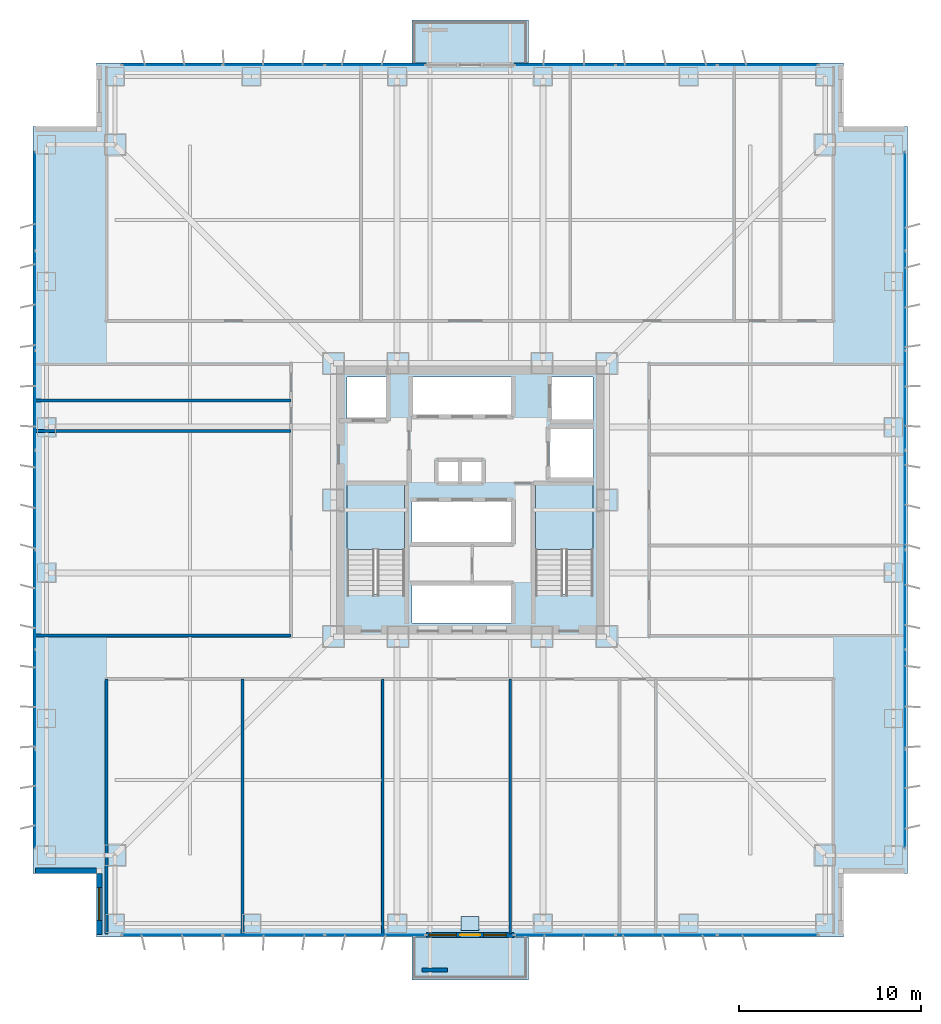
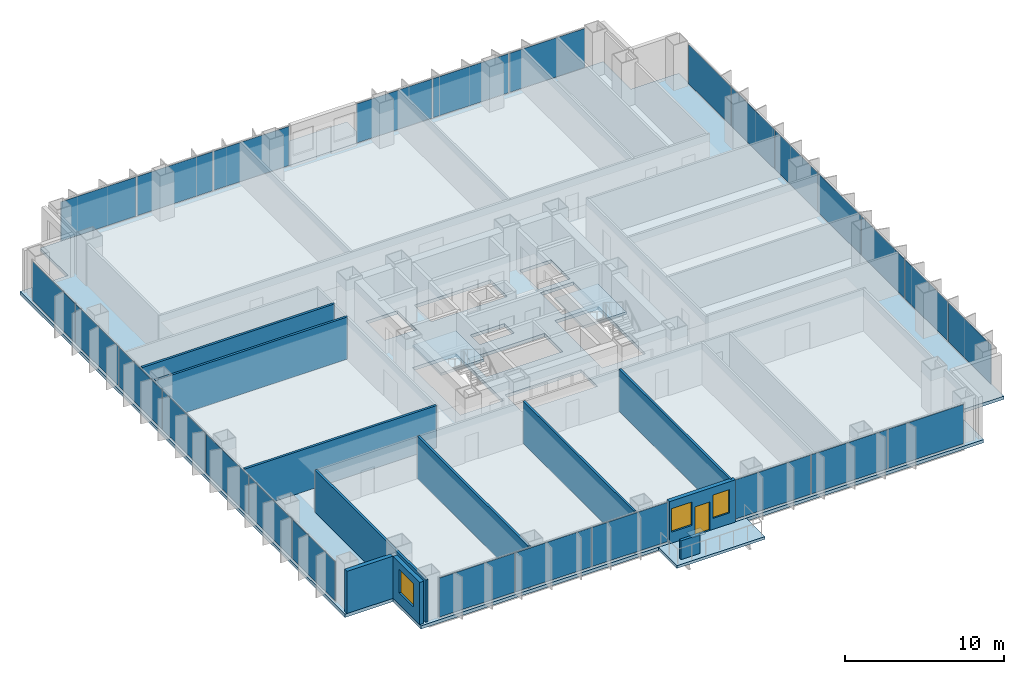
# One storey, part 13 of 21: 27 plates, 11 walls, 5 slabs, 3 windows, 1 door, 4 openings, 8 elements without a shape of their own.
"""IFC4 building model written with IfcOpenShell, lengths in metres."""

from ifc_helpers import new_model, si_unit, direction, frame, frame_2d, origin, origin_2d, place, context, subcontext, project, spatial, polyline, rectangle, outline, extrude, material, layer, layer_set, type_object, element, fill, aggregate, save


model = new_model("IFC4")

# Units and contexts
model_context = context("Model", 3, precision=1e-05, world=origin(), true_north=direction((0.0, 1.0)))
body_context = subcontext(model_context, "Body", "Model", "MODEL_VIEW")
ifc_project = project(units=[si_unit("LENGTHUNIT", "METRE"), si_unit("AREAUNIT", "SQUARE_METRE"), si_unit("VOLUMEUNIT", "CUBIC_METRE"), si_unit("PLANEANGLEUNIT", "RADIAN"), si_unit("MASSUNIT", "GRAM", prefix="KILO")], contexts=[model_context])

# Site, building, storey
site_placement = place(None, origin())
site = spatial("IfcSite", under=ifc_project, at=site_placement, CompositionType="ELEMENT")
building_placement = place(site_placement, origin())
building = spatial("IfcBuilding", under=site, at=building_placement, Name="Trevonay Congress Spire", CompositionType="ELEMENT")
storey_placement = place(building_placement, frame((0.0, 0.0, 37.5)))
storey = spatial("IfcBuildingStorey", under=building, at=storey_placement, Name="L08", CompositionType="ELEMENT", Elevation=37.5)

# Curtain wall, plates
ifc_material_1 = material(Name="Pale Anodised Aluminium EN AW-6063-T6", Category="aluminium")
ifc_layer_1 = layer(ifc_material_1, 0.179931640625, Name="Pale Anodised Aluminium EN AW-6063-T6")
ifc_layer_set_1 = layer_set([ifc_layer_1], Name="Pale Anodised Aluminium EN AW-6063-T6")
curtain_wall_type = type_object("IfcCurtainWallType", Name="CW-SYS02-HOTEL-PALE-METAL", PredefinedType="NOTDEFINED", material=ifc_layer_set_1)
curtain_wall_1_placement = place(storey_placement, origin())
curtain_wall_1 = element("IfcCurtainWall", 1, at=curtain_wall_1_placement, inside=storey, type_object=curtain_wall_type, Name="L08 SA unitised curtain wall", PredefinedType="NOTDEFINED")
ifc_material_2 = material(Name="Insulated Low-E Vision Glass IGU", Category="glass")
ifc_layer_2 = layer(ifc_material_2, 0.035888671875, Name="Insulated Low-E Vision Glass IGU")
ifc_layer_set_2 = layer_set([ifc_layer_2], Name="Insulated Low-E Vision Glass IGU")
plate_type_1 = type_object("IfcPlateType", Name="CW-PANEL-IGU36-SILVER", PredefinedType="CURTAIN_PANEL", material=ifc_layer_set_2)
plate_1_placement = place(storey_placement, frame((-16.34326171875, -23.8798828125, 0.1201171875), z_axis=(0.0, 0.0, 1.0), x_axis=(1.0, 0.0, 0.0)))
plate_1 = element("IfcPlate", 2, at=plate_1_placement, type_object=plate_type_1, Name="CW02 panel 1.1", PredefinedType="CURTAIN_PANEL", context=body_context, shape_type="SweptSolid", body=[
    extrude(rectangle(XDim=5.493408203125, YDim=0.035888671875, at=origin_2d()), origin(), (0.0, 0.0, 1.0), 3.010009765625),
])
plate_2_placement = place(storey_placement, frame((-10.77490234375, -23.8798828125, 0.1201171875), z_axis=(0.0, 0.0, 1.0), x_axis=(1.0, 0.0, 0.0)))
plate_2 = element("IfcPlate", 3, at=plate_2_placement, type_object=plate_type_1, Name="CW02 panel 2.1", PredefinedType="CURTAIN_PANEL", context=body_context, shape_type="SweptSolid", body=[
    extrude(rectangle(XDim=5.5234375, YDim=0.035888671875, at=origin_2d()), origin(), (0.0, 0.0, 1.0), 3.010009765625),
])
plate_3_placement = place(storey_placement, frame((-5.206787109375, -23.8798828125, 0.1201171875), z_axis=(0.0, 0.0, 1.0), x_axis=(1.0, 0.0, 0.0)))
plate_3 = element("IfcPlate", 4, at=plate_3_placement, type_object=plate_type_1, Name="CW02 panel 3.1", PredefinedType="CURTAIN_PANEL", context=body_context, shape_type="SweptSolid", body=[
    extrude(rectangle(XDim=5.493408203125, YDim=0.035888671875, at=origin_2d()), origin(), (0.0, 0.0, 1.0), 3.010009765625),
])
aggregate(curtain_wall_1, [plate_1, plate_2, plate_3])

curtain_wall_2_placement = place(storey_placement, origin())
curtain_wall_2 = element("IfcCurtainWall", 5, at=curtain_wall_2_placement, inside=storey, type_object=curtain_wall_type, Name="L08 SB unitised curtain wall", PredefinedType="NOTDEFINED")
plate_4_placement = place(storey_placement, frame((5.206787109375, -23.8798828125, 0.1201171875), z_axis=(0.0, 0.0, 1.0), x_axis=(1.0, 0.0, 0.0)))
plate_4 = element("IfcPlate", 6, at=plate_4_placement, type_object=plate_type_1, Name="CW02 panel 1.1", PredefinedType="CURTAIN_PANEL", context=body_context, shape_type="SweptSolid", body=[
    extrude(rectangle(XDim=5.493408203125, YDim=0.035888671875, at=origin_2d()), origin(), (0.0, 0.0, 1.0), 3.010009765625),
])
plate_5_placement = place(storey_placement, frame((10.77490234375, -23.8798828125, 0.1201171875), z_axis=(0.0, 0.0, 1.0), x_axis=(1.0, 0.0, 0.0)))
plate_5 = element("IfcPlate", 7, at=plate_5_placement, type_object=plate_type_1, Name="CW02 panel 2.1", PredefinedType="CURTAIN_PANEL", context=body_context, shape_type="SweptSolid", body=[
    extrude(rectangle(XDim=5.5234375, YDim=0.035888671875, at=origin_2d()), origin(), (0.0, 0.0, 1.0), 3.010009765625),
])
plate_6_placement = place(storey_placement, frame((16.34326171875, -23.8798828125, 0.1201171875), z_axis=(0.0, 0.0, 1.0), x_axis=(1.0, 0.0, 0.0)))
plate_6 = element("IfcPlate", 8, at=plate_6_placement, type_object=plate_type_1, Name="CW02 panel 3.1", PredefinedType="CURTAIN_PANEL", context=body_context, shape_type="SweptSolid", body=[
    extrude(rectangle(XDim=5.493408203125, YDim=0.035888671875, at=origin_2d()), origin(), (0.0, 0.0, 1.0), 3.010009765625),
])
aggregate(curtain_wall_2, [plate_4, plate_5, plate_6])

curtain_wall_3_placement = place(storey_placement, origin())
curtain_wall_3 = element("IfcCurtainWall", 9, at=curtain_wall_3_placement, inside=storey, type_object=curtain_wall_type, Name="L08 NA unitised curtain wall", PredefinedType="NOTDEFINED")
plate_7_placement = place(storey_placement, frame((-16.34326171875, 23.8798828125, 0.1201171875), z_axis=(0.0, 0.0, 1.0), x_axis=(1.0, 0.0, 0.0)))
plate_7 = element("IfcPlate", 10, at=plate_7_placement, type_object=plate_type_1, Name="CW02 panel 1.1", PredefinedType="CURTAIN_PANEL", context=body_context, shape_type="SweptSolid", body=[
    extrude(rectangle(XDim=5.493408203125, YDim=0.035888671875, at=origin_2d()), origin(), (0.0, 0.0, 1.0), 3.010009765625),
])
plate_8_placement = place(storey_placement, frame((-10.77490234375, 23.8798828125, 0.1201171875), z_axis=(0.0, 0.0, 1.0), x_axis=(1.0, 0.0, 0.0)))
plate_8 = element("IfcPlate", 11, at=plate_8_placement, type_object=plate_type_1, Name="CW02 panel 2.1", PredefinedType="CURTAIN_PANEL", context=body_context, shape_type="SweptSolid", body=[
    extrude(rectangle(XDim=5.5234375, YDim=0.035888671875, at=origin_2d()), origin(), (0.0, 0.0, 1.0), 3.010009765625),
])
plate_9_placement = place(storey_placement, frame((-5.206787109375, 23.8798828125, 0.1201171875), z_axis=(0.0, 0.0, 1.0), x_axis=(1.0, 0.0, 0.0)))
plate_9 = element("IfcPlate", 12, at=plate_9_placement, type_object=plate_type_1, Name="CW02 panel 3.1", PredefinedType="CURTAIN_PANEL", context=body_context, shape_type="SweptSolid", body=[
    extrude(rectangle(XDim=5.493408203125, YDim=0.035888671875, at=origin_2d()), origin(), (0.0, 0.0, 1.0), 3.010009765625),
])
aggregate(curtain_wall_3, [plate_7, plate_8, plate_9])

curtain_wall_4_placement = place(storey_placement, origin())
curtain_wall_4 = element("IfcCurtainWall", 13, at=curtain_wall_4_placement, inside=storey, type_object=curtain_wall_type, Name="L08 NB unitised curtain wall", PredefinedType="NOTDEFINED")
plate_10_placement = place(storey_placement, frame((5.206787109375, 23.8798828125, 0.1201171875), z_axis=(0.0, 0.0, 1.0), x_axis=(1.0, 0.0, 0.0)))
plate_10 = element("IfcPlate", 14, at=plate_10_placement, type_object=plate_type_1, Name="CW02 panel 1.1", PredefinedType="CURTAIN_PANEL", context=body_context, shape_type="SweptSolid", body=[
    extrude(rectangle(XDim=5.493408203125, YDim=0.035888671875, at=origin_2d()), origin(), (0.0, 0.0, 1.0), 3.010009765625),
])
plate_11_placement = place(storey_placement, frame((10.77490234375, 23.8798828125, 0.1201171875), z_axis=(0.0, 0.0, 1.0), x_axis=(1.0, 0.0, 0.0)))
plate_11 = element("IfcPlate", 15, at=plate_11_placement, type_object=plate_type_1, Name="CW02 panel 2.1", PredefinedType="CURTAIN_PANEL", context=body_context, shape_type="SweptSolid", body=[
    extrude(rectangle(XDim=5.5234375, YDim=0.035888671875, at=origin_2d()), origin(), (0.0, 0.0, 1.0), 3.010009765625),
])
plate_12_placement = place(storey_placement, frame((16.34326171875, 23.8798828125, 0.1201171875), z_axis=(0.0, 0.0, 1.0), x_axis=(1.0, 0.0, 0.0)))
plate_12 = element("IfcPlate", 16, at=plate_12_placement, type_object=plate_type_1, Name="CW02 panel 3.1", PredefinedType="CURTAIN_PANEL", context=body_context, shape_type="SweptSolid", body=[
    extrude(rectangle(XDim=5.493408203125, YDim=0.035888671875, at=origin_2d()), origin(), (0.0, 0.0, 1.0), 3.010009765625),
])
aggregate(curtain_wall_4, [plate_10, plate_11, plate_12])

curtain_wall_5_placement = place(storey_placement, origin())
curtain_wall_5 = element("IfcCurtainWall", 17, at=curtain_wall_5_placement, inside=storey, type_object=curtain_wall_type, Name="L08 W unitised curtain wall", PredefinedType="NOTDEFINED")
plate_13_placement = place(storey_placement, frame((-23.8798828125, -16.399169921875, 0.1201171875), z_axis=(0.0, 0.0, 1.0), x_axis=(0.0, 1.0, 0.0)))
plate_13 = element("IfcPlate", 18, at=plate_13_placement, type_object=plate_type_1, Name="CW02 panel 1.1", PredefinedType="CURTAIN_PANEL", context=body_context, shape_type="SweptSolid", body=[
    extrude(rectangle(XDim=5.38134765625, YDim=0.035888671875, at=origin_2d()), origin(), (0.0, 0.0, 1.0), 3.010009765625),
])
plate_14_placement = place(storey_placement, frame((-23.8798828125, -10.94287109375, 0.1201171875), z_axis=(0.0, 0.0, 1.0), x_axis=(0.0, 1.0, 0.0)))
plate_14 = element("IfcPlate", 19, at=plate_14_placement, type_object=plate_type_1, Name="CW02 panel 2.1", PredefinedType="CURTAIN_PANEL", context=body_context, shape_type="SweptSolid", body=[
    extrude(rectangle(XDim=5.411376953125, YDim=0.035888671875, at=origin_2d()), origin(), (0.0, 0.0, 1.0), 3.010009765625),
])
plate_15_placement = place(storey_placement, frame((-23.8798828125, -5.471435546875, 0.1201171875), z_axis=(0.0, 0.0, 1.0), x_axis=(0.0, 1.0, 0.0)))
plate_15 = element("IfcPlate", 20, at=plate_15_placement, type_object=plate_type_1, Name="CW02 panel 3.1", PredefinedType="CURTAIN_PANEL", context=body_context, shape_type="SweptSolid", body=[
    extrude(rectangle(XDim=5.411376953125, YDim=0.035888671875, at=origin_2d()), origin(), (0.0, 0.0, 1.0), 3.010009765625),
])
plate_16_placement = place(storey_placement, frame((-23.8798828125, 0.0, 0.1201171875), z_axis=(0.0, 0.0, 1.0), x_axis=(0.0, 1.0, 0.0)))
plate_16 = element("IfcPlate", 21, at=plate_16_placement, type_object=plate_type_1, Name="CW02 panel 4.1", PredefinedType="CURTAIN_PANEL", context=body_context, shape_type="SweptSolid", body=[
    extrude(rectangle(XDim=5.411376953125, YDim=0.035888671875, at=origin_2d()), origin(), (0.0, 0.0, 1.0), 3.010009765625),
])
plate_17_placement = place(storey_placement, frame((-23.8798828125, 5.471435546875, 0.1201171875), z_axis=(0.0, 0.0, 1.0), x_axis=(0.0, 1.0, 0.0)))
plate_17 = element("IfcPlate", 22, at=plate_17_placement, type_object=plate_type_1, Name="CW02 panel 5.1", PredefinedType="CURTAIN_PANEL", context=body_context, shape_type="SweptSolid", body=[
    extrude(rectangle(XDim=5.411376953125, YDim=0.035888671875, at=origin_2d()), origin(), (0.0, 0.0, 1.0), 3.010009765625),
])
plate_18_placement = place(storey_placement, frame((-23.8798828125, 10.94287109375, 0.1201171875), z_axis=(0.0, 0.0, 1.0), x_axis=(0.0, 1.0, 0.0)))
plate_18 = element("IfcPlate", 23, at=plate_18_placement, type_object=plate_type_1, Name="CW02 panel 6.1", PredefinedType="CURTAIN_PANEL", context=body_context, shape_type="SweptSolid", body=[
    extrude(rectangle(XDim=5.411376953125, YDim=0.035888671875, at=origin_2d()), origin(), (0.0, 0.0, 1.0), 3.010009765625),
])
plate_19_placement = place(storey_placement, frame((-23.8798828125, 16.399169921875, 0.1201171875), z_axis=(0.0, 0.0, 1.0), x_axis=(0.0, 1.0, 0.0)))
plate_19 = element("IfcPlate", 24, at=plate_19_placement, type_object=plate_type_1, Name="CW02 panel 7.1", PredefinedType="CURTAIN_PANEL", context=body_context, shape_type="SweptSolid", body=[
    extrude(rectangle(XDim=5.38134765625, YDim=0.035888671875, at=origin_2d()), origin(), (0.0, 0.0, 1.0), 3.010009765625),
])
aggregate(curtain_wall_5, [plate_13, plate_14, plate_15, plate_16, plate_17, plate_18, plate_19])

curtain_wall_6_placement = place(storey_placement, origin())
curtain_wall_6 = element("IfcCurtainWall", 25, at=curtain_wall_6_placement, inside=storey, type_object=curtain_wall_type, Name="L08 E unitised curtain wall", PredefinedType="NOTDEFINED")
plate_20_placement = place(storey_placement, frame((23.8798828125, -16.399169921875, 0.1201171875), z_axis=(0.0, 0.0, 1.0), x_axis=(0.0, 1.0, 0.0)))
plate_20 = element("IfcPlate", 26, at=plate_20_placement, type_object=plate_type_1, Name="CW02 panel 1.1", PredefinedType="CURTAIN_PANEL", context=body_context, shape_type="SweptSolid", body=[
    extrude(rectangle(XDim=5.38134765625, YDim=0.035888671875, at=origin_2d()), origin(), (0.0, 0.0, 1.0), 3.010009765625),
])
plate_21_placement = place(storey_placement, frame((23.8798828125, -10.94287109375, 0.1201171875), z_axis=(0.0, 0.0, 1.0), x_axis=(0.0, 1.0, 0.0)))
plate_21 = element("IfcPlate", 27, at=plate_21_placement, type_object=plate_type_1, Name="CW02 panel 2.1", PredefinedType="CURTAIN_PANEL", context=body_context, shape_type="SweptSolid", body=[
    extrude(rectangle(XDim=5.411376953125, YDim=0.035888671875, at=origin_2d()), origin(), (0.0, 0.0, 1.0), 3.010009765625),
])
plate_22_placement = place(storey_placement, frame((23.8798828125, -5.471435546875, 0.1201171875), z_axis=(0.0, 0.0, 1.0), x_axis=(0.0, 1.0, 0.0)))
plate_22 = element("IfcPlate", 28, at=plate_22_placement, type_object=plate_type_1, Name="CW02 panel 3.1", PredefinedType="CURTAIN_PANEL", context=body_context, shape_type="SweptSolid", body=[
    extrude(rectangle(XDim=5.411376953125, YDim=0.035888671875, at=origin_2d()), origin(), (0.0, 0.0, 1.0), 3.010009765625),
])
plate_23_placement = place(storey_placement, frame((23.8798828125, 0.0, 0.1201171875), z_axis=(0.0, 0.0, 1.0), x_axis=(0.0, 1.0, 0.0)))
plate_23 = element("IfcPlate", 29, at=plate_23_placement, type_object=plate_type_1, Name="CW02 panel 4.1", PredefinedType="CURTAIN_PANEL", context=body_context, shape_type="SweptSolid", body=[
    extrude(rectangle(XDim=5.411376953125, YDim=0.035888671875, at=origin_2d()), origin(), (0.0, 0.0, 1.0), 3.010009765625),
])
plate_24_placement = place(storey_placement, frame((23.8798828125, 5.471435546875, 0.1201171875), z_axis=(0.0, 0.0, 1.0), x_axis=(0.0, 1.0, 0.0)))
plate_24 = element("IfcPlate", 30, at=plate_24_placement, type_object=plate_type_1, Name="CW02 panel 5.1", PredefinedType="CURTAIN_PANEL", context=body_context, shape_type="SweptSolid", body=[
    extrude(rectangle(XDim=5.411376953125, YDim=0.035888671875, at=origin_2d()), origin(), (0.0, 0.0, 1.0), 3.010009765625),
])
plate_25_placement = place(storey_placement, frame((23.8798828125, 10.94287109375, 0.1201171875), z_axis=(0.0, 0.0, 1.0), x_axis=(0.0, 1.0, 0.0)))
plate_25 = element("IfcPlate", 31, at=plate_25_placement, type_object=plate_type_1, Name="CW02 panel 6.1", PredefinedType="CURTAIN_PANEL", context=body_context, shape_type="SweptSolid", body=[
    extrude(rectangle(XDim=5.411376953125, YDim=0.035888671875, at=origin_2d()), origin(), (0.0, 0.0, 1.0), 3.010009765625),
])
plate_26_placement = place(storey_placement, frame((23.8798828125, 16.399169921875, 0.1201171875), z_axis=(0.0, 0.0, 1.0), x_axis=(0.0, 1.0, 0.0)))
plate_26 = element("IfcPlate", 32, at=plate_26_placement, type_object=plate_type_1, Name="CW02 panel 7.1", PredefinedType="CURTAIN_PANEL", context=body_context, shape_type="SweptSolid", body=[
    extrude(rectangle(XDim=5.38134765625, YDim=0.035888671875, at=origin_2d()), origin(), (0.0, 0.0, 1.0), 3.010009765625),
])
aggregate(curtain_wall_6, [plate_20, plate_21, plate_22, plate_23, plate_24, plate_25, plate_26])

# Plate
ifc_material_3 = material(Name="Steel ASTM A572 Grade 50", Category="steel")
ifc_layer_3 = layer(ifc_material_3, 0.034912109375, Name="Steel ASTM A572 Grade 50")
ifc_layer_set_3 = layer_set([ifc_layer_3], Name="Steel ASTM A572 Grade 50")
plate_type_2 = type_object("IfcPlateType", Name="PLT-GUSSET-EXT-35", PredefinedType="USERDEFINED", material=ifc_layer_set_3)
plate_27_placement = place(storey_placement, frame((0.0, -23.25, -0.49755859375), z_axis=(0.0, 0.0, 1.0), x_axis=(1.0, 0.0, 0.0)))
element("IfcPlate", 33, at=plate_27_placement, inside=storey, type_object=plate_type_2, Name="L08 cantilevered tree-balcony lookout gusset plate CN-01", ObjectType="GUSSET_PLATE", PredefinedType="USERDEFINED", context=body_context, shape_type="SweptSolid", body=[
    extrude(rectangle(XDim=1.0, YDim=0.75, at=origin_2d()), origin(), (0.0, 0.0, 1.0), 0.034912109375),
])

# Stair, slab
ifc_material_4 = material(Name="Concrete C40/50", Category="concrete")
stair_type_1 = type_object("IfcStairType", Name="STR-ST-1", PredefinedType="HALF_TURN_STAIR", material=ifc_material_4)
stair_1_placement = place(storey_placement, origin())
stair_1 = element("IfcStair", 34, at=stair_1_placement, inside=storey, type_object=stair_type_1, Name="L08 Protected Exit Stair ST-1", PredefinedType="HALF_TURN_STAIR")
ifc_layer_4 = layer(ifc_material_4, 0.199951171875, Name="Concrete C40/50")
ifc_layer_set_4 = layer_set([ifc_layer_4], Name="Concrete C40/50")
slab_type_1 = type_object("IfcSlabType", Name="SLB-STAIR-LAND-200", PredefinedType="LANDING", material=ifc_layer_set_4)
slab_1_placement = place(storey_placement, frame((0.0, 0.0, 1.550048828125)))
slab_1 = element("IfcSlab", 35, at=slab_1_placement, type_object=slab_type_1, Name="ST-1 landing 1", PredefinedType="LANDING", context=body_context, shape_type="SweptSolid", body=[
    extrude(outline(polyline([(-3.60009765625, -2.72998046875), (-3.60009765625, 0.85009765625), (-6.75, 0.85009765625), (-6.75, -2.72998046875), (-3.60009765625, -2.72998046875)])), origin(), (0.0, 0.0, 1.0), 0.199951171875),
])
aggregate(stair_1, [slab_1])

stair_type_2 = type_object("IfcStairType", Name="STR-ST-2", PredefinedType="HALF_TURN_STAIR", material=ifc_material_4)
stair_2_placement = place(storey_placement, origin())
stair_2 = element("IfcStair", 36, at=stair_2_placement, inside=storey, type_object=stair_type_2, Name="L08 Protected Exit Stair ST-2", PredefinedType="HALF_TURN_STAIR")
slab_2_placement = place(storey_placement, frame((0.0, 0.0, 1.550048828125)))
slab_2 = element("IfcSlab", 37, at=slab_2_placement, type_object=slab_type_1, Name="ST-2 landing 1", PredefinedType="LANDING", context=body_context, shape_type="SweptSolid", body=[
    extrude(outline(polyline([(6.75, -2.72998046875), (6.75, 0.85009765625), (3.60009765625, 0.85009765625), (3.60009765625, -2.72998046875), (6.75, -2.72998046875)])), origin(), (0.0, 0.0, 1.0), 0.199951171875),
])
aggregate(stair_2, [slab_2])

# Slabs
ifc_layer_5 = layer(ifc_material_4, 0.25, Name="Concrete C40/50")
ifc_layer_set_5 = layer_set([ifc_layer_5], Name="Concrete C40/50")
slab_type_2 = type_object("IfcSlabType", Name="SLB-TOW1-250", PredefinedType="FLOOR", material=ifc_layer_set_5)
slab_3_placement = place(storey_placement, frame((0.0, 0.0, -0.25)))
element("IfcSlab", 38, at=slab_3_placement, inside=storey, type_object=slab_type_2, Name="L08 structural floor slab", PredefinedType="FLOOR", context=body_context, shape_type="SweptSolid", body=[
    extrude(outline(polyline([(-20.5, -24.0), (20.5, -24.0), (20.5, -20.5), (24.0, -20.5), (24.0, 20.5), (20.5, 20.5), (20.5, 24.0), (-20.5, 24.0), (-20.5, 20.5), (-24.0, 20.5), (-24.0, -20.5), (-20.5, -20.5), (-20.5, -24.0)]), holes=[polyline([(-3.60009765625, -5.14990234375), (-3.60009765625, 0.85009765625), (-6.75, 0.85009765625), (-6.75, -5.14990234375), (-3.60009765625, -5.14990234375)]), polyline([(6.75, -5.14990234375), (6.75, 0.85009765625), (3.60009765625, 0.85009765625), (3.60009765625, -5.14990234375), (6.75, -5.14990234375)]), polyline([(-3.199951171875, -6.75), (2.340087890625, -6.75), (2.340087890625, -4.64990234375), (-3.199951171875, -4.64990234375), (-3.199951171875, -6.75)]), polyline([(-3.199951171875, -2.35009765625), (2.340087890625, -2.35009765625), (2.340087890625, -0.050048828125), (-3.199951171875, -0.050048828125), (-3.199951171875, -2.35009765625)]), polyline([(-3.199951171875, 4.64990234375), (2.340087890625, 4.64990234375), (2.340087890625, 6.75), (-3.199951171875, 6.75), (-3.199951171875, 4.64990234375)]), polyline([(-6.75, 4.35009765625), (-4.449951171875, 4.35009765625), (-4.449951171875, 6.75), (-6.75, 6.75), (-6.75, 4.35009765625)]), polyline([(4.449951171875, 4.35009765625), (6.75, 4.35009765625), (6.75, 6.75), (4.449951171875, 6.75), (4.449951171875, 4.35009765625)]), polyline([(4.35009765625, 1.199951171875), (6.75, 1.199951171875), (6.75, 3.949951171875), (4.35009765625, 3.949951171875), (4.35009765625, 1.199951171875)]), polyline([(-1.800048828125, 0.949951171875), (0.699951171875, 0.949951171875), (0.699951171875, 2.14990234375), (-1.800048828125, 2.14990234375), (-1.800048828125, 0.949951171875)])]), origin(), (0.0, 0.0, 1.0), 0.25),
])
ifc_layer_6 = layer(ifc_material_4, 0.2099609375, Name="Concrete C40/50")
ifc_layer_set_6 = layer_set([ifc_layer_6], Name="Concrete C40/50")
slab_type_3 = type_object("IfcSlabType", Name="SLB-TREEBAL-210", PredefinedType="FLOOR", material=ifc_layer_set_6)
slab_4_placement = place(storey_placement, frame((0.0, 0.0, -0.2099609375)))
element("IfcSlab", 39, at=slab_4_placement, inside=storey, type_object=slab_type_3, Name="L08 cantilevered tree-planter balcony pod S", PredefinedType="FLOOR", context=body_context, shape_type="SweptSolid", body=[
    extrude(outline(polyline([(-3.199951171875, -26.35009765625), (3.199951171875, -26.35009765625), (3.199951171875, -24.0), (-3.199951171875, -24.0), (-3.199951171875, -26.35009765625)])), origin(), (0.0, 0.0, 1.0), 0.2099609375),
])
slab_5_placement = place(storey_placement, frame((0.0, 0.0, -0.2099609375)))
element("IfcSlab", 40, at=slab_5_placement, inside=storey, type_object=slab_type_3, Name="L08 cantilevered tree-planter balcony pod N", PredefinedType="FLOOR", context=body_context, shape_type="SweptSolid", body=[
    extrude(outline(polyline([(-3.199951171875, 24.0), (3.199951171875, 24.0), (3.199951171875, 26.35009765625), (-3.199951171875, 26.35009765625), (-3.199951171875, 24.0)])), origin(), (0.0, 0.0, 1.0), 0.2099609375),
])

# Wall, openings, door, windows
ifc_material_5 = material(Name="Precast concrete C40/50", Category="concrete")
ifc_layer_7 = layer(ifc_material_5, 0.300048828125, Name="Precast concrete C40/50")
ifc_layer_set_7 = layer_set([ifc_layer_7], Name="Precast concrete C40/50")
wall_type_1 = type_object("IfcWallType", Name="WAL-EXT-PRECAST-300", PredefinedType="SOLIDWALL", material=ifc_layer_set_7)
wall_1_placement = place(storey_placement, frame((-2.39990234375, -23.8798828125, 0.0), z_axis=(0.0, 0.0, 1.0), x_axis=(1.0, 0.0, 0.0)))
wall_1 = element("IfcWall", 41, at=wall_1_placement, inside=storey, type_object=wall_type_1, Name="L08 S glazed balcony portal exterior wall", PredefinedType="SOLIDWALL", context=body_context, shape_type="SweptSolid", body=[
    extrude(rectangle(XDim=4.7998046875, YDim=0.300048828125, at=frame_2d((2.39990234375, 0.0))), origin(), (0.0, 0.0, 1.0), 3.25),
])
opening_1_placement = place(wall_1_placement, frame((1.85009765625, 0.0, 0.0)))
opening_1 = element("IfcOpeningElement", 42, at=opening_1_placement, cuts=wall_1, Name="Opening D03", PredefinedType="OPENING", context=body_context, shape_type="SweptSolid", body=[
    extrude(rectangle(XDim=1.10009765625, YDim=2.199951171875, at=frame_2d((0.550048828125, 1.10009765625))), frame((0.0, 0.16015625, 0.0), z_axis=(0.0, -1.0, 0.0), x_axis=(1.0, 0.0, 0.0)), (0.0, 0.0, 1.0), 0.320068359375),
])
opening_2_placement = place(wall_1_placement, frame((0.14990234375, 0.0, 0.85009765625)))
opening_2 = element("IfcOpeningElement", 43, at=opening_2_placement, cuts=wall_1, Name="Opening WN03", PredefinedType="OPENING", context=body_context, shape_type="SweptSolid", body=[
    extrude(rectangle(XDim=1.5, YDim=1.800048828125, at=frame_2d((0.75, 0.89990234375))), frame((0.0, 0.16015625, 0.0), z_axis=(0.0, -1.0, 0.0), x_axis=(1.0, 0.0, 0.0)), (0.0, 0.0, 1.0), 0.320068359375),
])
opening_3_placement = place(wall_1_placement, frame((3.14990234375, 0.0, 0.85009765625)))
opening_3 = element("IfcOpeningElement", 44, at=opening_3_placement, cuts=wall_1, Name="Opening WN07", PredefinedType="OPENING", context=body_context, shape_type="SweptSolid", body=[
    extrude(rectangle(XDim=1.22998046875, YDim=1.800048828125, at=frame_2d((0.614990234375, 0.89990234375))), frame((0.0, 0.16015625, 0.0), z_axis=(0.0, -1.0, 0.0), x_axis=(1.0, 0.0, 0.0)), (0.0, 0.0, 1.0), 0.320068359375),
])
door_type = type_object("IfcDoorType", Name="DOR-EXT-BAL-110", OperationType="NOTDEFINED", PredefinedType="DOOR", material=ifc_material_1)
door_placement = place(opening_1_placement, origin())
door = element("IfcDoor", 45, at=door_placement, inside=storey, type_object=door_type, Name="L08 S glazed outdoor terrace and balcony door", OperationType="SINGLE_SWING_LEFT", OverallHeight=2.199951171875, OverallWidth=1.10009765625, PredefinedType="DOOR", context=body_context, shape_type="SweptSolid", body=[
    extrude(rectangle(XDim=1.10009765625, YDim=2.199951171875, at=frame_2d((0.550048828125, 1.10009765625))), frame((0.0, 0.02490234375, 0.0), z_axis=(0.0, -1.0, 0.0), x_axis=(1.0, 0.0, 0.0)), (0.0, 0.0, 1.0), 0.050048828125),
])
fill(opening_1, door)
window_type_1 = type_object("IfcWindowType", Name="WIN-NOTCH-150X180", PartitioningType="SINGLE_PANEL", PredefinedType="WINDOW", material=ifc_material_2)
window_1_placement = place(opening_2_placement, origin())
window_1 = element("IfcWindow", 46, at=window_1_placement, inside=storey, type_object=window_type_1, Name="L08 S balcony sidelight window L", OverallHeight=1.800048828125, OverallWidth=1.5, PartitioningType="SINGLE_PANEL", PredefinedType="WINDOW", context=body_context, shape_type="SweptSolid", body=[
    extrude(rectangle(XDim=1.5, YDim=1.800048828125, at=frame_2d((0.75, 0.89990234375))), frame((0.0, 0.030029296875, 0.0), z_axis=(0.0, -1.0, 0.0), x_axis=(1.0, 0.0, 0.0)), (0.0, 0.0, 1.0), 0.06005859375),
])
fill(opening_2, window_1)
window_type_2 = type_object("IfcWindowType", Name="WIN-SIDELIGHT-123X180", PartitioningType="SINGLE_PANEL", PredefinedType="WINDOW", material=ifc_material_2)
window_2_placement = place(opening_3_placement, origin())
window_2 = element("IfcWindow", 47, at=window_2_placement, inside=storey, type_object=window_type_2, Name="L08 S balcony sidelight window R", OverallHeight=1.800048828125, OverallWidth=1.22998046875, PartitioningType="SINGLE_PANEL", PredefinedType="WINDOW", context=body_context, shape_type="SweptSolid", body=[
    extrude(rectangle(XDim=1.22998046875, YDim=1.800048828125, at=frame_2d((0.614990234375, 0.89990234375))), frame((0.0, 0.030029296875, 0.0), z_axis=(0.0, -1.0, 0.0), x_axis=(1.0, 0.0, 0.0)), (0.0, 0.0, 1.0), 0.06005859375),
])
fill(opening_3, window_2)

# Wall, opening, window
wall_2_placement = place(storey_placement, frame((-20.35009765625, -23.85009765625, 0.0), z_axis=(0.0, 0.0, 1.0), x_axis=(0.0, 1.0, 0.0)))
wall_2 = element("IfcWall", 48, at=wall_2_placement, inside=storey, type_object=wall_type_1, Name="L08 SW re-entrant notch exterior wall 1", PredefinedType="SOLIDWALL", context=body_context, shape_type="SweptSolid", body=[
    extrude(rectangle(XDim=3.35009765625, YDim=0.300048828125, at=frame_2d((1.675048828125, 0.0))), origin(), (0.0, 0.0, 1.0), 3.25),
])
opening_4_placement = place(wall_2_placement, frame((0.77490234375, 0.0, 0.89990234375)))
opening_4 = element("IfcOpeningElement", 49, at=opening_4_placement, cuts=wall_2, Name="Opening WN01", PredefinedType="OPENING", context=body_context, shape_type="SweptSolid", body=[
    extrude(rectangle(XDim=1.800048828125, YDim=1.800048828125, at=frame_2d((0.89990234375, 0.89990234375))), frame((0.0, 0.16015625, 0.0), z_axis=(0.0, -1.0, 0.0), x_axis=(1.0, 0.0, 0.0)), (0.0, 0.0, 1.0), 0.320068359375),
])
window_type_3 = type_object("IfcWindowType", Name="WIN-HOTEL-180X180", PartitioningType="SINGLE_PANEL", PredefinedType="WINDOW", material=ifc_material_2)
window_3_placement = place(opening_4_placement, origin())
window_3 = element("IfcWindow", 50, at=window_3_placement, inside=storey, type_object=window_type_3, Name="L08 SW corner notch window", OverallHeight=1.800048828125, OverallWidth=1.800048828125, PartitioningType="SINGLE_PANEL", PredefinedType="WINDOW", context=body_context, shape_type="SweptSolid", body=[
    extrude(rectangle(XDim=1.800048828125, YDim=1.800048828125, at=frame_2d((0.89990234375, 0.89990234375))), frame((0.0, 0.030029296875, 0.0), z_axis=(0.0, -1.0, 0.0), x_axis=(1.0, 0.0, 0.0)), (0.0, 0.0, 1.0), 0.06005859375),
])
fill(opening_4, window_3)

# Walls
wall_3_placement = place(storey_placement, frame((-23.85009765625, -20.35009765625, 0.0), z_axis=(0.0, 0.0, 1.0), x_axis=(1.0, 0.0, 0.0)))
element("IfcWall", 51, at=wall_3_placement, inside=storey, type_object=wall_type_1, Name="L08 SW re-entrant notch exterior wall 2", PredefinedType="SOLIDWALL", context=body_context, shape_type="SweptSolid", body=[
    extrude(rectangle(XDim=3.35009765625, YDim=0.300048828125, at=frame_2d((1.675048828125, 0.0))), origin(), (0.0, 0.0, 1.0), 3.25),
])
ifc_layer_8 = layer(ifc_material_4, 0.14990234375, Name="Concrete C40/50")
ifc_layer_set_8 = layer_set([ifc_layer_8], Name="Concrete C40/50")
wall_type_2 = type_object("IfcWallType", Name="WAL-PART-150", PredefinedType="PARTITIONING", material=ifc_layer_set_8)
for number, where, z_axis, x_axis, name in (
    (52, (-4.800048828125, -23.820068359375, 0.0), (0.0, 0.0, 1.0), (0.0, 1.0, 0.0), "L08 interior wall WP-L08S-DIV3"),
    (53, (2.199951171875, -23.820068359375, 0.0), (0.0, 0.0, 1.0), (0.0, 1.0, 0.0), "L08 interior wall WP-L08S-DIV4"),
):
    element("IfcWall", number, at=place(storey_placement, frame(where, z_axis=z_axis, x_axis=x_axis)), inside=storey, type_object=wall_type_2, Name=name, PredefinedType="PARTITIONING", context=body_context, shape_type="SweptSolid", body=[
        extrude(rectangle(XDim=13.989990234375, YDim=0.14990234375, at=frame_2d((6.9951171875, 0.0))), origin(), (0.0, 0.0, 1.0), 3.25),
    ])
ifc_layer_9 = layer(ifc_material_5, 0.199951171875, Name="Precast concrete C40/50")
ifc_layer_set_9 = layer_set([ifc_layer_9], Name="Precast concrete C40/50")
wall_type_3 = type_object("IfcWallType", Name="WAL-TREE-PLANTER-200", PredefinedType="PARAPET", material=ifc_layer_set_9)
wall_4_placement = place(storey_placement, frame((-2.64990234375, -25.800048828125, 0.0), z_axis=(0.0, 0.0, 1.0), x_axis=(1.0, 0.0, 0.0)))
element("IfcWall", 54, at=wall_4_placement, inside=storey, type_object=wall_type_3, Name="L08 S cantilevered balcony tree planter box", PredefinedType="PARAPET", context=body_context, shape_type="SweptSolid", body=[
    extrude(rectangle(XDim=1.39990234375, YDim=0.199951171875, at=frame_2d((0.699951171875, 0.0))), origin(), (0.0, 0.0, 1.0), 1.449951171875),
])
ifc_layer_10 = layer(ifc_material_4, 0.1650390625, Name="Concrete C40/50")
ifc_layer_set_10 = layer_set([ifc_layer_10], Name="Concrete C40/50")
wall_type_4 = type_object("IfcWallType", Name="WAL-WET-165", PredefinedType="PLUMBINGWALL", material=ifc_layer_set_10)
for number, where, z_axis, x_axis, name in (
    (55, (-19.949951171875, -23.820068359375, 0.0), (0.0, 0.0, 1.0), (0.0, 1.0, 0.0), "L08 interior wall WP-L08S-DIV1"),
    (56, (-12.5, -23.820068359375, 0.0), (0.0, 0.0, 1.0), (0.0, 1.0, 0.0), "L08 interior wall WP-L08S-DIV2"),
    (57, (-23.820068359375, 5.449951171875, 0.0), (0.0, 0.0, 1.0), (1.0, 0.0, 0.0), "L08 interior wall WP-L08W-WCS2"),
    (58, (-23.820068359375, -7.449951171875, 0.0), (0.0, 0.0, 1.0), (1.0, 0.0, 0.0), "L08 interior wall WP-L08W-DIV1"),
    (59, (-23.820068359375, 3.800048828125, 0.0), (0.0, 0.0, 1.0), (1.0, 0.0, 0.0), "L08 interior wall WP-L08W-DIV2"),
):
    element("IfcWall", number, at=place(storey_placement, frame(where, z_axis=z_axis, x_axis=x_axis)), inside=storey, type_object=wall_type_4, Name=name, PredefinedType="PLUMBINGWALL", context=body_context, shape_type="SweptSolid", body=[
        extrude(rectangle(XDim=13.989990234375, YDim=0.1650390625, at=frame_2d((6.9951171875, 0.0))), origin(), (0.0, 0.0, 1.0), 3.25),
    ])

save(model, "model.ifc")
